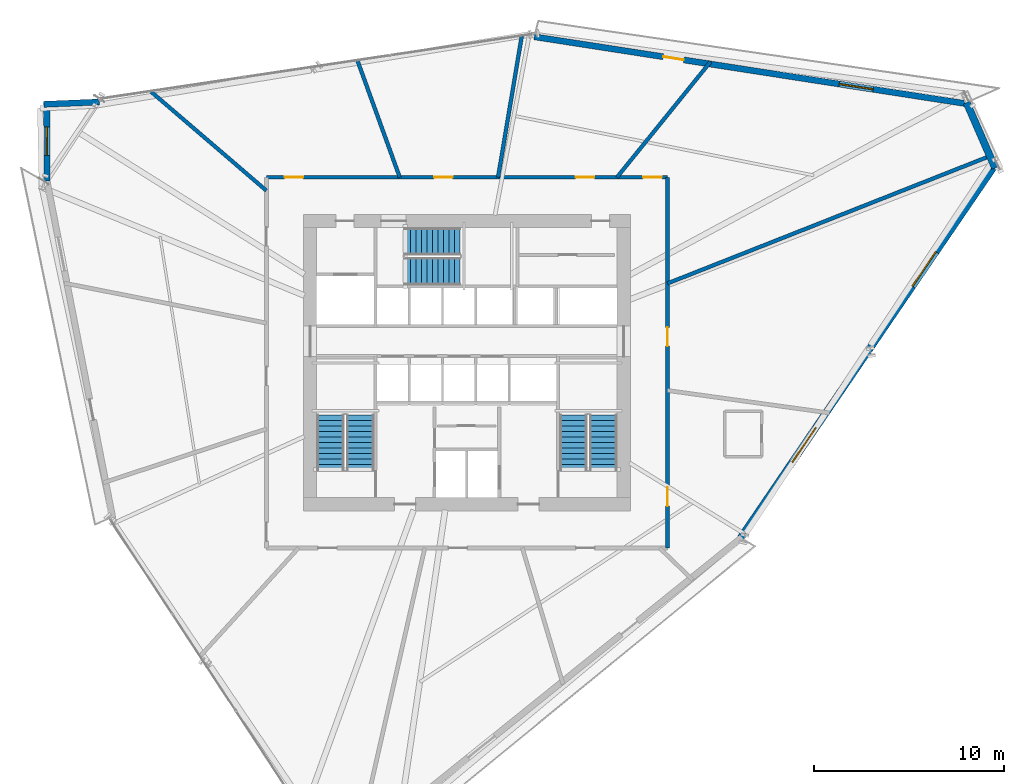
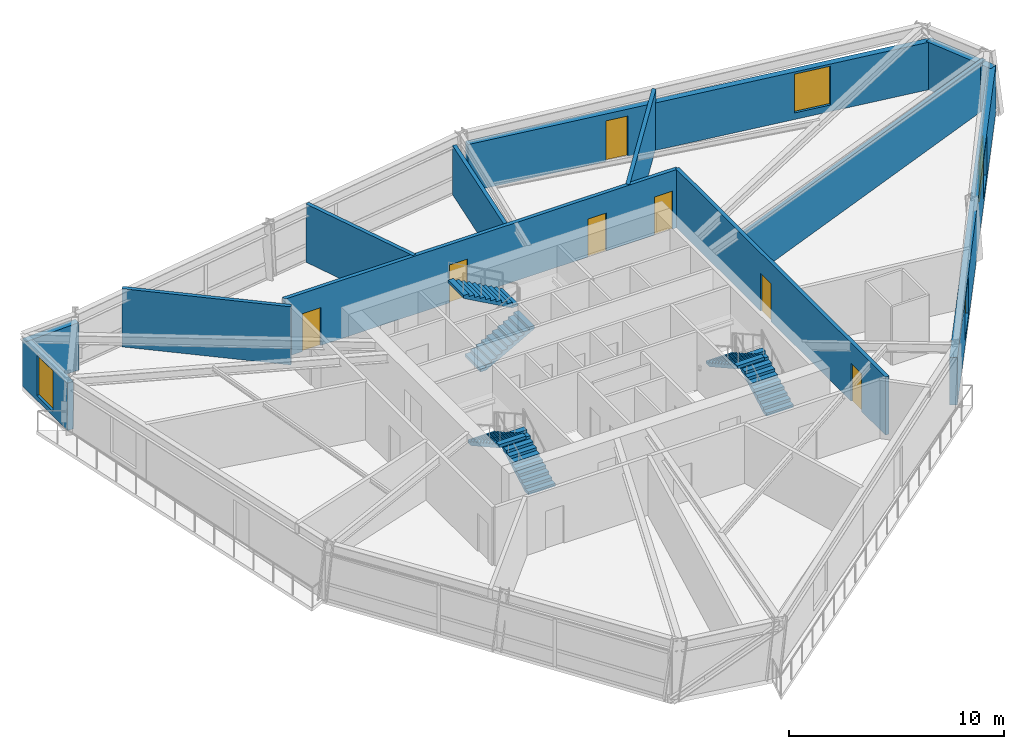
# One storey, part 11 of 14: 12 walls, 7 doors, 6 stair flights, 4 windows, 11 openings, 3 elements without a shape of their own.
"""IFC4 building model written with IfcOpenShell, lengths in metres."""

from ifc_helpers import new_model, si_unit, direction, frame, frame_2d, origin, place, context, subcontext, project, spatial, polyline, rectangle, outline, extrude, source, transform, mapped, material, layer, layer_set, type_object, type_shapes, element, fill, aggregate, save


model = new_model("IFC4")

# Units and contexts
model_context = context("Model", 3, precision=1e-05, world=origin(), true_north=direction((0.0, 1.0)))
body_context = subcontext(model_context, "Body", "Model", "MODEL_VIEW")
ifc_project = project(units=[si_unit("LENGTHUNIT", "METRE"), si_unit("AREAUNIT", "SQUARE_METRE"), si_unit("VOLUMEUNIT", "CUBIC_METRE"), si_unit("PLANEANGLEUNIT", "RADIAN"), si_unit("MASSUNIT", "GRAM", prefix="KILO")], contexts=[model_context])

# Site, building, storey
site_placement = place(None, origin())
site = spatial("IfcSite", under=ifc_project, at=site_placement, CompositionType="ELEMENT")
building_placement = place(site_placement, origin())
building = spatial("IfcBuilding", under=site, at=building_placement, Name="Olszyna Solenne Hotel", CompositionType="ELEMENT")
storey_placement = place(building_placement, frame((0.0, 0.0, 130.550048828125)))
storey = spatial("IfcBuildingStorey", under=building, at=storey_placement, Name="L34", CompositionType="ELEMENT", Elevation=130.550048828125)

# Wall, opening, window
ifc_material_1 = material(Name="Precast concrete C45/55", Category="concrete")
ifc_layer_1 = layer(ifc_material_1, 0.320068359375, Name="Precast concrete C45/55")
ifc_layer_set_1 = layer_set([ifc_layer_1], Name="Precast concrete C45/55")
wall_type_1 = type_object("IfcWallType", Name="WL-EX320", PredefinedType="SOLIDWALL", material=ifc_layer_set_1)
wall_1_placement = place(storey_placement, frame((15.907958984375, 36.16162109375, 0.0), z_axis=(0.0, 0.0, 1.0), x_axis=(-0.002565738829, 0.999996708487, 0.0)))
wall_1 = element("IfcWall", 1, at=wall_1_placement, inside=storey, type_object=wall_type_1, Name="Exterior terracotta-precast frame wall WL-EX320 EW-L34-05", PredefinedType="SOLIDWALL", context=body_context, shape_type="SweptSolid", body=[
    extrude(rectangle(XDim=4.186767578125, YDim=0.320068359375, at=frame_2d((2.09326171875, 0.0))), origin(), (0.0, 0.0, 1.0), 2.69189453125),
])
opening_1_placement = place(wall_1_placement, frame((1.343017578125, 0.0, 0.27197265625)))
opening_1 = element("IfcOpeningElement", 2, at=opening_1_placement, cuts=wall_1, Name="Opening WN-L34-198", PredefinedType="OPENING", context=body_context, shape_type="SweptSolid", body=[
    extrude(rectangle(XDim=1.5, YDim=2.300048828125, at=frame_2d((0.75, 1.14990234375))), frame((0.0, 0.169921875, 0.0), z_axis=(0.0, -1.0, 0.0), x_axis=(1.0, 0.0, 0.0)), (0.0, 0.0, 1.0), 0.340087890625),
])
ifc_material_2 = material(Name="Low-E triple glazing", Category="glass")
window_type_1 = type_object("IfcWindowType", Name="WN-CH1", PartitioningType="SINGLE_PANEL", PredefinedType="WINDOW", material=ifc_material_2)
shared_shape_1 = source(origin(), body_context, "Body", "SweptSolid", [
    extrude(rectangle(XDim=1.5, YDim=2.300048828125, at=frame_2d((0.75, 1.14990234375))), frame((0.0, 0.030029296875, 0.0), z_axis=(0.0, -1.0, 0.0), x_axis=(1.0, 0.0, 0.0)), (0.0, 0.0, 1.0), 0.06005859375),
])
type_shapes(window_type_1, [shared_shape_1])
window_1_placement = place(opening_1_placement, origin())
window_1 = element("IfcWindow", 3, at=window_1_placement, inside=storey, type_object=window_type_1, Name="Exterior facade window WN-CH1 WN-L34-198", OverallHeight=2.300048828125, OverallWidth=1.5, PartitioningType="SINGLE_PANEL", PredefinedType="WINDOW", context=body_context, shape_type="MappedRepresentation", body=[
    mapped(shared_shape_1, transform((0.0, 0.0, 0.0), x_axis=(1.0, 0.0, 0.0), y_axis=(0.0, 1.0, 0.0), z_axis=(0.0, 0.0, 1.0), scale=1.0)),
])
fill(opening_1, window_1)

# Wall
wall_2_placement = place(storey_placement, frame((15.743896484375, 40.18798828125, 0.0), z_axis=(0.0, 0.0, 1.0), x_axis=(0.99911515718, 0.042058324886, 0.0)))
element("IfcWall", 4, at=wall_2_placement, inside=storey, type_object=wall_type_1, Name="Exterior terracotta-precast frame wall WL-EX320 EW-L34-06", PredefinedType="SOLIDWALL", context=body_context, shape_type="SweptSolid", body=[
    extrude(rectangle(XDim=2.919921875, YDim=0.320068359375, at=frame_2d((1.4599609375, 0.0))), origin(), (0.0, 0.0, 1.0), 2.69189453125),
])

# Wall, openings, door, window
wall_3_placement = place(storey_placement, frame((41.541259765625, 43.74267578125, 0.0), z_axis=(0.0, 0.0, 1.0), x_axis=(0.988207138031, -0.153122997436, 0.0)))
wall_3 = element("IfcWall", 5, at=wall_3_placement, inside=storey, type_object=wall_type_1, Name="Exterior terracotta-precast frame wall WL-EX320 EW-L34-08", PredefinedType="SOLIDWALL", context=body_context, shape_type="SweptSolid", body=[
    extrude(rectangle(XDim=23.166748046875, YDim=0.320068359375, at=frame_2d((11.58349609375, 0.0))), origin(), (0.0, 0.0, 1.0), 2.69189453125),
])
opening_2_placement = place(wall_3_placement, frame((6.863037109375, 0.0, 0.0)))
opening_2 = element("IfcOpeningElement", 6, at=opening_2_placement, cuts=wall_3, Name="Opening LDG-L34-1", PredefinedType="OPENING", context=body_context, shape_type="SweptSolid", body=[
    extrude(rectangle(XDim=1.10009765625, YDim=2.300048828125, at=frame_2d((0.550048828125, 1.14990234375))), frame((0.0, 0.169921875, 0.0), z_axis=(0.0, -1.0, 0.0), x_axis=(1.0, 0.0, 0.0)), (0.0, 0.0, 1.0), 0.340087890625),
])
opening_3_placement = place(wall_3_placement, frame((16.242919921875, 0.0, 0.3720703125)))
opening_3 = element("IfcOpeningElement", 7, at=opening_3_placement, cuts=wall_3, Name="Opening WN-L34-199", PredefinedType="OPENING", context=body_context, shape_type="SweptSolid", body=[
    extrude(rectangle(XDim=1.800048828125, YDim=2.199951171875, at=frame_2d((0.89990234375, 1.10009765625))), frame((0.0, 0.169921875, 0.0), z_axis=(0.0, -1.0, 0.0), x_axis=(1.0, 0.0, 0.0)), (0.0, 0.0, 1.0), 0.340087890625),
])
ifc_material_3 = material(Name="Anodised bronze aluminium", Category="aluminium")
door_type_1 = type_object("IfcDoorType", Name="DR-LG1", OperationType="NOTDEFINED", PredefinedType="DOOR", material=ifc_material_3)
shared_shape_2 = source(origin(), body_context, "Body", "SweptSolid", [
    extrude(rectangle(XDim=1.10009765625, YDim=2.300048828125, at=frame_2d((0.550048828125, 1.14990234375))), frame((0.0, 0.02490234375, 0.0), z_axis=(0.0, -1.0, 0.0), x_axis=(1.0, 0.0, 0.0)), (0.0, 0.0, 1.0), 0.050048828125),
])
type_shapes(door_type_1, [shared_shape_2])
door_1_placement = place(opening_2_placement, origin())
door_1 = element("IfcDoor", 8, at=door_1_placement, inside=storey, type_object=door_type_1, Name="Exterior loggia balcony door DR-LG1 LDG-L34-1", OperationType="SINGLE_SWING_RIGHT", OverallHeight=2.300048828125, OverallWidth=1.10009765625, PredefinedType="DOOR", context=body_context, shape_type="MappedRepresentation", body=[
    mapped(shared_shape_2, transform((0.0, 0.0, 0.0), x_axis=(1.0, 0.0, 0.0), y_axis=(0.0, 1.0, 0.0), z_axis=(0.0, 0.0, 1.0), scale=1.0)),
])
fill(opening_2, door_1)
window_type_2 = type_object("IfcWindowType", Name="WN-HT1", PartitioningType="SINGLE_PANEL", PredefinedType="WINDOW", material=ifc_material_2)
shared_shape_3 = source(origin(), body_context, "Body", "SweptSolid", [
    extrude(rectangle(XDim=1.800048828125, YDim=2.199951171875, at=frame_2d((0.89990234375, 1.10009765625))), frame((0.0, 0.030029296875, 0.0), z_axis=(0.0, -1.0, 0.0), x_axis=(1.0, 0.0, 0.0)), (0.0, 0.0, 1.0), 0.06005859375),
])
type_shapes(window_type_2, [shared_shape_3])
window_2_placement = place(opening_3_placement, origin())
window_2 = element("IfcWindow", 9, at=window_2_placement, inside=storey, type_object=window_type_2, Name="Loggia room window WN-HT1 WN-L34-199", OverallHeight=2.199951171875, OverallWidth=1.800048828125, PartitioningType="SINGLE_PANEL", PredefinedType="WINDOW", context=body_context, shape_type="MappedRepresentation", body=[
    mapped(shared_shape_3, transform((0.0, 0.0, 0.0), x_axis=(1.0, 0.0, 0.0), y_axis=(0.0, 1.0, 0.0), z_axis=(0.0, 0.0, 1.0), scale=1.0)),
])
fill(opening_3, window_2)

# Wall
ifc_material_4 = material(Name="Terracotta cladding on precast concrete C45/55", Category="masonry")
ifc_layer_2 = layer(ifc_material_4, 0.3798828125, Name="Terracotta cladding on precast concrete C45/55")
ifc_layer_set_2 = layer_set([ifc_layer_2], Name="Terracotta cladding on precast concrete C45/55")
wall_type_2 = type_object("IfcWallType", Name="WL-EX380", PredefinedType="SOLIDWALL", material=ifc_layer_set_2)
wall_4_placement = place(storey_placement, frame((64.28515625, 40.277587890625, 0.0), z_axis=(0.0, 0.0, 1.0), x_axis=(0.399568588601, -0.916703301512, 0.0)))
element("IfcWall", 10, at=wall_4_placement, inside=storey, type_object=wall_type_2, Name="Exterior terracotta-precast frame wall WL-EX380 EW-L34-09", PredefinedType="SOLIDWALL", context=body_context, shape_type="SweptSolid", body=[
    extrude(rectangle(XDim=3.75048828125, YDim=0.3798828125, at=frame_2d((1.875244140625, 0.0))), origin(), (0.0, 0.0, 1.0), 2.69189453125),
])

# Wall, openings, windows
wall_5_placement = place(storey_placement, frame((65.801025390625, 37.022705078125, 0.0), z_axis=(0.0, 0.0, 1.0), x_axis=(-0.563622492104, -0.826032497179, 0.0)))
wall_5 = element("IfcWall", 11, at=wall_5_placement, inside=storey, type_object=wall_type_2, Name="Exterior terracotta-precast frame wall WL-EX380 EW-L34-10", PredefinedType="SOLIDWALL", context=body_context, shape_type="SweptSolid", body=[
    extrude(rectangle(XDim=23.758056640625, YDim=0.3798828125, at=frame_2d((11.87890625, 0.0))), origin(), (0.0, 0.0, 1.0), 2.69189453125),
])
opening_4_placement = place(wall_5_placement, frame((5.552001953125, 0.0, 0.322021484375)))
opening_4 = element("IfcOpeningElement", 12, at=opening_4_placement, cuts=wall_5, Name="Opening WN-L34-200", PredefinedType="OPENING", context=body_context, shape_type="SweptSolid", body=[
    extrude(rectangle(XDim=2.199951171875, YDim=2.25, at=frame_2d((1.10009765625, 1.125))), frame((0.0, 0.199951171875, 0.0), z_axis=(0.0, -1.0, 0.0), x_axis=(1.0, 0.0, 0.0)), (0.0, 0.0, 1.0), 0.39990234375),
])
opening_5_placement = place(wall_5_placement, frame((16.756103515625, 0.0, 0.322021484375)))
opening_5 = element("IfcOpeningElement", 13, at=opening_5_placement, cuts=wall_5, Name="Opening WN-L34-201", PredefinedType="OPENING", context=body_context, shape_type="SweptSolid", body=[
    extrude(rectangle(XDim=2.199951171875, YDim=2.25, at=frame_2d((1.10009765625, 1.125))), frame((0.0, 0.199951171875, 0.0), z_axis=(0.0, -1.0, 0.0), x_axis=(1.0, 0.0, 0.0)), (0.0, 0.0, 1.0), 0.39990234375),
])
window_type_3 = type_object("IfcWindowType", Name="WN-HT2", PartitioningType="SINGLE_PANEL", PredefinedType="WINDOW", material=ifc_material_2)
shared_shape_4 = source(origin(), body_context, "Body", "SweptSolid", [
    extrude(rectangle(XDim=2.199951171875, YDim=2.25, at=frame_2d((1.10009765625, 1.125))), frame((0.0, 0.030029296875, 0.0), z_axis=(0.0, -1.0, 0.0), x_axis=(1.0, 0.0, 0.0)), (0.0, 0.0, 1.0), 0.06005859375),
])
type_shapes(window_type_3, [shared_shape_4])
window_3_placement = place(opening_4_placement, origin())
window_3 = element("IfcWindow", 14, at=window_3_placement, inside=storey, type_object=window_type_3, Name="Exterior facade window WN-HT2 WN-L34-200", OverallHeight=2.25, OverallWidth=2.199951171875, PartitioningType="SINGLE_PANEL", PredefinedType="WINDOW", context=body_context, shape_type="MappedRepresentation", body=[
    mapped(shared_shape_4, transform((0.0, 0.0, 0.0), x_axis=(1.0, 0.0, 0.0), y_axis=(0.0, 1.0, 0.0), z_axis=(0.0, 0.0, 1.0), scale=1.0)),
])
fill(opening_4, window_3)
window_4_placement = place(opening_5_placement, origin())
window_4 = element("IfcWindow", 15, at=window_4_placement, inside=storey, type_object=window_type_3, Name="Exterior facade window WN-HT2 WN-L34-201", OverallHeight=2.25, OverallWidth=2.199951171875, PartitioningType="SINGLE_PANEL", PredefinedType="WINDOW", context=body_context, shape_type="MappedRepresentation", body=[
    mapped(shared_shape_4, transform((0.0, 0.0, 0.0), x_axis=(1.0, 0.0, 0.0), y_axis=(0.0, 1.0, 0.0), z_axis=(0.0, 0.0, 1.0), scale=1.0)),
])
fill(opening_5, window_4)

# Walls
ifc_material_5 = material(Name="Acoustic gypsum partition", Category="gypsum")
ifc_layer_3 = layer(ifc_material_5, 0.199951171875, Name="Acoustic gypsum partition")
ifc_layer_set_3 = layer_set([ifc_layer_3], Name="Acoustic gypsum partition")
wall_type_3 = type_object("IfcWallType", Name="WL-PT200", PredefinedType="PARTITIONING", material=ifc_layer_set_3)
wall_6_placement = place(storey_placement, frame((48.550048828125, 30.767333984375, 0.0), z_axis=(0.0, 0.0, 1.0), x_axis=(0.930068002608, 0.367387412038, 0.0)))
element("IfcWall", 16, at=wall_6_placement, inside=storey, type_object=wall_type_3, Name="Interior acoustic partition WL-PT200 PW-L34-1962", PredefinedType="PARTITIONING", context=body_context, shape_type="SweptSolid", body=[
    extrude(rectangle(XDim=18.3955078125, YDim=0.199951171875, at=frame_2d((9.19775390625, 0.0))), origin(), (0.0, 0.0, 1.0), 2.794921875),
])
wall_7_placement = place(storey_placement, frame((45.892822265625, 36.35009765625, 0.0), z_axis=(0.0, 0.0, 1.0), x_axis=(0.62920899099, 0.777236158229, 0.0)))
element("IfcWall", 17, at=wall_7_placement, inside=storey, type_object=wall_type_3, Name="Interior acoustic partition WL-PT200 PW-L34-1963", PredefinedType="PARTITIONING", context=body_context, shape_type="SweptSolid", body=[
    extrude(rectangle(XDim=7.830810546875, YDim=0.199951171875, at=frame_2d((3.91552734375, 0.0))), origin(), (0.0, 0.0, 1.0), 3.300048828125),
])
wall_8_placement = place(storey_placement, frame((39.637939453125, 36.35009765625, 0.0), z_axis=(0.0, 0.0, 1.0), x_axis=(0.165688318352, 0.986178169076, 0.0)))
element("IfcWall", 18, at=wall_8_placement, inside=storey, type_object=wall_type_3, Name="Interior acoustic partition WL-PT200 PW-L34-1964", PredefinedType="PARTITIONING", context=body_context, shape_type="SweptSolid", body=[
    extrude(rectangle(XDim=7.522216796875, YDim=0.199951171875, at=frame_2d((3.76123046875, 0.0))), origin(), (0.0, 0.0, 1.0), 2.784912109375),
])
wall_9_placement = place(storey_placement, frame((34.467041015625, 36.35009765625, 0.0), z_axis=(0.0, 0.0, 1.0), x_axis=(-0.340674701082, 0.940181231488, 0.0)))
element("IfcWall", 19, at=wall_9_placement, inside=storey, type_object=wall_type_3, Name="Interior acoustic partition WL-PT200 PW-L34-1965", PredefinedType="PARTITIONING", context=body_context, shape_type="SweptSolid", body=[
    extrude(rectangle(XDim=6.514892578125, YDim=0.199951171875, at=frame_2d((3.25732421875, 0.0))), origin(), (0.0, 0.0, 1.0), 3.300048828125),
])
wall_10_placement = place(storey_placement, frame((27.449951171875, 35.651123046875, 0.0), z_axis=(0.0, 0.0, 1.0), x_axis=(-0.75895865216, 0.651138821075, 0.0)))
element("IfcWall", 20, at=wall_10_placement, inside=storey, type_object=wall_type_3, Name="Interior acoustic partition WL-PT200 PW-L34-1966", PredefinedType="PARTITIONING", context=body_context, shape_type="SweptSolid", body=[
    extrude(rectangle(XDim=7.984130859375, YDim=0.199951171875, at=frame_2d((3.9921875, 0.0))), origin(), (0.0, 0.0, 1.0), 3.300048828125),
])

# Wall, openings, doors
wall_11_placement = place(storey_placement, frame((27.449951171875, 36.35009765625, 0.0), z_axis=(0.0, 0.0, 1.0), x_axis=(1.0, 0.0, 0.0)))
wall_11 = element("IfcWall", 21, at=wall_11_placement, inside=storey, type_object=wall_type_3, Name="Interior acoustic partition WL-PT200 PW-L34-1979", PredefinedType="PARTITIONING", context=body_context, shape_type="SweptSolid", body=[
    extrude(rectangle(XDim=21.10009765625, YDim=0.199951171875, at=frame_2d((10.550048828125, 0.0))), origin(), (0.0, 0.0, 1.0), 3.300048828125),
])
opening_6_placement = place(wall_11_placement, frame((19.820068359375, 0.0, 0.0)))
opening_6 = element("IfcOpeningElement", 22, at=opening_6_placement, cuts=wall_11, Name="Opening DR-L34-0480", PredefinedType="OPENING", context=body_context, shape_type="SweptSolid", body=[
    extrude(rectangle(XDim=0.97998046875, YDim=2.14990234375, at=frame_2d((0.489990234375, 1.074951171875))), frame((0.0, 0.10986328125, 0.0), z_axis=(0.0, -1.0, 0.0), x_axis=(1.0, 0.0, 0.0)), (0.0, 0.0, 1.0), 0.219970703125),
])
opening_7_placement = place(wall_11_placement, frame((16.26904296875, 0.0, 0.0)))
opening_7 = element("IfcOpeningElement", 23, at=opening_7_placement, cuts=wall_11, Name="Opening DR-L34-0481", PredefinedType="OPENING", context=body_context, shape_type="SweptSolid", body=[
    extrude(rectangle(XDim=0.97998046875, YDim=2.14990234375, at=frame_2d((0.489990234375, 1.074951171875))), frame((0.0, 0.10986328125, 0.0), z_axis=(0.0, -1.0, 0.0), x_axis=(1.0, 0.0, 0.0)), (0.0, 0.0, 1.0), 0.219970703125),
])
opening_8_placement = place(wall_11_placement, frame((8.823974609375, 0.0, 0.0)))
opening_8 = element("IfcOpeningElement", 24, at=opening_8_placement, cuts=wall_11, Name="Opening DR-L34-0482", PredefinedType="OPENING", context=body_context, shape_type="SweptSolid", body=[
    extrude(rectangle(XDim=0.97998046875, YDim=2.14990234375, at=frame_2d((0.489990234375, 1.074951171875))), frame((0.0, 0.10986328125, 0.0), z_axis=(0.0, -1.0, 0.0), x_axis=(1.0, 0.0, 0.0)), (0.0, 0.0, 1.0), 0.219970703125),
])
opening_9_placement = place(wall_11_placement, frame((0.9560546875, 0.0, 0.0)))
opening_9 = element("IfcOpeningElement", 25, at=opening_9_placement, cuts=wall_11, Name="Opening DR-L34-0483", PredefinedType="OPENING", context=body_context, shape_type="SweptSolid", body=[
    extrude(rectangle(XDim=0.97998046875, YDim=2.14990234375, at=frame_2d((0.489990234375, 1.074951171875))), frame((0.0, 0.10986328125, 0.0), z_axis=(0.0, -1.0, 0.0), x_axis=(1.0, 0.0, 0.0)), (0.0, 0.0, 1.0), 0.219970703125),
])
ifc_material_6 = material(Name="Timber hardwood", Category="wood")
door_type_2 = type_object("IfcDoorType", Name="DR-RM1", OperationType="NOTDEFINED", PredefinedType="DOOR", material=ifc_material_6)
shared_shape_5 = source(origin(), body_context, "Body", "SweptSolid", [
    extrude(rectangle(XDim=0.97998046875, YDim=2.14990234375, at=frame_2d((0.489990234375, 1.074951171875))), frame((0.0, 0.02490234375, 0.0), z_axis=(0.0, -1.0, 0.0), x_axis=(1.0, 0.0, 0.0)), (0.0, 0.0, 1.0), 0.050048828125),
])
type_shapes(door_type_2, [shared_shape_5])
door_2_placement = place(opening_6_placement, origin())
door_2 = element("IfcDoor", 26, at=door_2_placement, inside=storey, type_object=door_type_2, Name="Private Business Office Entrance Door DR-L34-0480", OperationType="SINGLE_SWING_RIGHT", OverallHeight=2.14990234375, OverallWidth=0.97998046875, PredefinedType="DOOR", context=body_context, shape_type="MappedRepresentation", body=[
    mapped(shared_shape_5, transform((0.0, 0.0, 0.0), x_axis=(1.0, 0.0, 0.0), y_axis=(0.0, 1.0, 0.0), z_axis=(0.0, 0.0, 1.0), scale=1.0)),
])
fill(opening_6, door_2)
door_3_placement = place(opening_7_placement, origin())
door_3 = element("IfcDoor", 27, at=door_3_placement, inside=storey, type_object=door_type_2, Name="Private Business Office Entrance Door DR-L34-0481", OperationType="SINGLE_SWING_LEFT", OverallHeight=2.14990234375, OverallWidth=0.97998046875, PredefinedType="DOOR", context=body_context, shape_type="MappedRepresentation", body=[
    mapped(shared_shape_5, transform((0.0, 0.0, 0.0), x_axis=(1.0, 0.0, 0.0), y_axis=(0.0, 1.0, 0.0), z_axis=(0.0, 0.0, 1.0), scale=1.0)),
])
fill(opening_7, door_3)
door_4_placement = place(opening_8_placement, origin())
door_4 = element("IfcDoor", 28, at=door_4_placement, inside=storey, type_object=door_type_2, Name="Private Business Office Entrance Door DR-L34-0482", OperationType="SINGLE_SWING_RIGHT", OverallHeight=2.14990234375, OverallWidth=0.97998046875, PredefinedType="DOOR", context=body_context, shape_type="MappedRepresentation", body=[
    mapped(shared_shape_5, transform((0.0, 0.0, 0.0), x_axis=(1.0, 0.0, 0.0), y_axis=(0.0, 1.0, 0.0), z_axis=(0.0, 0.0, 1.0), scale=1.0)),
])
fill(opening_8, door_4)
door_5_placement = place(opening_9_placement, origin())
door_5 = element("IfcDoor", 29, at=door_5_placement, inside=storey, type_object=door_type_2, Name="Private Business Office Entrance Door DR-L34-0483", OperationType="SINGLE_SWING_LEFT", OverallHeight=2.14990234375, OverallWidth=0.97998046875, PredefinedType="DOOR", context=body_context, shape_type="MappedRepresentation", body=[
    mapped(shared_shape_5, transform((0.0, 0.0, 0.0), x_axis=(1.0, 0.0, 0.0), y_axis=(0.0, 1.0, 0.0), z_axis=(0.0, 0.0, 1.0), scale=1.0)),
])
fill(opening_9, door_5)

wall_12_placement = place(storey_placement, frame((48.550048828125, 16.85009765625, 0.0), z_axis=(0.0, 0.0, 1.0), x_axis=(0.0, 1.0, 0.0)))
wall_12 = element("IfcWall", 30, at=wall_12_placement, inside=storey, type_object=wall_type_3, Name="Interior acoustic partition WL-PT200 PW-L34-1980", PredefinedType="PARTITIONING", context=body_context, shape_type="SweptSolid", body=[
    extrude(rectangle(XDim=19.5, YDim=0.199951171875, at=frame_2d((9.75, 0.0))), origin(), (0.0, 0.0, 1.0), 3.300048828125),
])
opening_10_placement = place(wall_12_placement, frame((10.625, 0.0, 0.0)))
opening_10 = element("IfcOpeningElement", 31, at=opening_10_placement, cuts=wall_12, Name="Opening DR-L34-0484", PredefinedType="OPENING", context=body_context, shape_type="SweptSolid", body=[
    extrude(rectangle(XDim=0.97998046875, YDim=2.14990234375, at=frame_2d((0.489990234375, 1.074951171875))), frame((0.0, 0.10986328125, 0.0), z_axis=(0.0, -1.0, 0.0), x_axis=(1.0, 0.0, 0.0)), (0.0, 0.0, 1.0), 0.219970703125),
])
opening_11_placement = place(wall_12_placement, frame((2.20703125, 0.0, 0.0)))
opening_11 = element("IfcOpeningElement", 32, at=opening_11_placement, cuts=wall_12, Name="Opening DR-L34-0485", PredefinedType="OPENING", context=body_context, shape_type="SweptSolid", body=[
    extrude(rectangle(XDim=0.97998046875, YDim=2.14990234375, at=frame_2d((0.489990234375, 1.074951171875))), frame((0.0, 0.10986328125, 0.0), z_axis=(0.0, -1.0, 0.0), x_axis=(1.0, 0.0, 0.0)), (0.0, 0.0, 1.0), 0.219970703125),
])
door_6_placement = place(opening_10_placement, origin())
door_6 = element("IfcDoor", 33, at=door_6_placement, inside=storey, type_object=door_type_2, Name="Private Business Office Entrance Door DR-L34-0484", OperationType="SINGLE_SWING_LEFT", OverallHeight=2.14990234375, OverallWidth=0.97998046875, PredefinedType="DOOR", context=body_context, shape_type="MappedRepresentation", body=[
    mapped(shared_shape_5, transform((0.0, 0.0, 0.0), x_axis=(1.0, 0.0, 0.0), y_axis=(0.0, 1.0, 0.0), z_axis=(0.0, 0.0, 1.0), scale=1.0)),
])
fill(opening_10, door_6)
door_7_placement = place(opening_11_placement, origin())
door_7 = element("IfcDoor", 34, at=door_7_placement, inside=storey, type_object=door_type_2, Name="Executive Reading Salon Entrance Door DR-L34-0485", OperationType="SINGLE_SWING_RIGHT", OverallHeight=2.14990234375, OverallWidth=0.97998046875, PredefinedType="DOOR", context=body_context, shape_type="MappedRepresentation", body=[
    mapped(shared_shape_5, transform((0.0, 0.0, 0.0), x_axis=(1.0, 0.0, 0.0), y_axis=(0.0, 1.0, 0.0), z_axis=(0.0, 0.0, 1.0), scale=1.0)),
])
fill(opening_11, door_7)

# Stair, stair flights
ifc_material_7 = material(Name="Concrete C40/50", Category="concrete")
stair_type = type_object("IfcStairType", Name="STR-C1", PredefinedType="TWO_QUARTER_WINDING_STAIR", material=ifc_material_7)
stair_1_placement = place(storey_placement, origin())
stair_1 = element("IfcStair", 35, at=stair_1_placement, inside=storey, type_object=stair_type, Name="L34 ST1", PredefinedType="TWO_QUARTER_WINDING_STAIR")
stair_flight_type = type_object("IfcStairFlightType", Name="FLT-C1", PredefinedType="STRAIGHT", material=ifc_material_7)
stair_flight_1_placement = place(storey_placement, frame((32.39501953125, 20.949951171875, 0.0), z_axis=(0.0, 0.0, 1.0), x_axis=(0.0, 1.0, 0.0)))
stair_flight_1 = element("IfcStairFlight", 36, at=stair_flight_1_placement, type_object=stair_flight_type, Name="ST1 flight 1", NumberOfRisers=11, NumberOfTreads=10, PredefinedType="STRAIGHT", RiserHeight=0.161363636, TreadLength=0.29, context=body_context, shape_type="SweptSolid", body=[
    extrude(outline(polyline([(0.0, 0.0), (0.0, 0.161376953125), (0.2900390625, 0.161376953125), (0.2900390625, 0.32275390625), (0.580078125, 0.32275390625), (0.580078125, 0.484130859375), (0.8701171875, 0.484130859375), (0.8701171875, 0.6455078125), (1.159912109375, 0.6455078125), (1.159912109375, 0.806884765625), (1.449951171875, 0.806884765625), (1.449951171875, 0.96826171875), (1.739990234375, 0.96826171875), (1.739990234375, 1.129638671875), (2.030029296875, 1.129638671875), (2.030029296875, 1.291015625), (2.320068359375, 1.291015625), (2.320068359375, 1.452392578125), (2.610107421875, 1.452392578125), (2.610107421875, 1.613525390625), (2.89990234375, 1.613525390625), (2.89990234375, 1.77490234375), (2.89990234375, 1.442138671875), (0.308349609375, 0.0), (0.0, 0.0)])), frame((0.0, 0.72509765625, 0.0), z_axis=(0.0, -1.0, 0.0), x_axis=(1.0, 0.0, 0.0)), (0.0, 0.0, 1.0), 1.449951171875),
])
stair_flight_2_placement = place(storey_placement, frame((30.824951171875, 23.85009765625, 1.77490234375), z_axis=(0.0, 0.0, 1.0), x_axis=(0.0, -1.0, 0.0)))
stair_flight_2 = element("IfcStairFlight", 37, at=stair_flight_2_placement, type_object=stair_flight_type, Name="ST1 flight 2", NumberOfRisers=11, NumberOfTreads=10, PredefinedType="STRAIGHT", RiserHeight=0.161363636, TreadLength=0.29, context=body_context, shape_type="SweptSolid", body=[
    extrude(outline(polyline([(0.0, 0.0), (0.0, 0.161376953125), (0.2900390625, 0.161376953125), (0.2900390625, 0.32275390625), (0.580078125, 0.32275390625), (0.580078125, 0.484130859375), (0.8701171875, 0.484130859375), (0.8701171875, 0.6455078125), (1.159912109375, 0.6455078125), (1.159912109375, 0.806884765625), (1.449951171875, 0.806884765625), (1.449951171875, 0.96826171875), (1.739990234375, 0.96826171875), (1.739990234375, 1.129638671875), (2.030029296875, 1.129638671875), (2.030029296875, 1.291015625), (2.320068359375, 1.291015625), (2.320068359375, 1.452392578125), (2.610107421875, 1.452392578125), (2.610107421875, 1.613525390625), (2.89990234375, 1.613525390625), (2.89990234375, 1.77490234375), (2.89990234375, 1.442138671875), (0.308349609375, 0.0), (0.0, 0.0)])), frame((0.0, 0.72509765625, 0.0), z_axis=(0.0, -1.0, 0.0), x_axis=(1.0, 0.0, 0.0)), (0.0, 0.0, 1.0), 1.449951171875),
])
aggregate(stair_1, [stair_flight_1, stair_flight_2])

stair_2_placement = place(storey_placement, origin())
stair_2 = element("IfcStair", 38, at=stair_2_placement, inside=storey, type_object=stair_type, Name="L34 ST2", PredefinedType="TWO_QUARTER_WINDING_STAIR")
stair_flight_3_placement = place(storey_placement, frame((45.175048828125, 20.949951171875, 0.0), z_axis=(0.0, 0.0, 1.0), x_axis=(0.0, 1.0, 0.0)))
stair_flight_3 = element("IfcStairFlight", 39, at=stair_flight_3_placement, type_object=stair_flight_type, Name="ST2 flight 1", NumberOfRisers=11, NumberOfTreads=10, PredefinedType="STRAIGHT", RiserHeight=0.161363636, TreadLength=0.29, context=body_context, shape_type="SweptSolid", body=[
    extrude(outline(polyline([(0.0, 0.0), (0.0, 0.161376953125), (0.2900390625, 0.161376953125), (0.2900390625, 0.32275390625), (0.580078125, 0.32275390625), (0.580078125, 0.484130859375), (0.8701171875, 0.484130859375), (0.8701171875, 0.6455078125), (1.159912109375, 0.6455078125), (1.159912109375, 0.806884765625), (1.449951171875, 0.806884765625), (1.449951171875, 0.96826171875), (1.739990234375, 0.96826171875), (1.739990234375, 1.129638671875), (2.030029296875, 1.129638671875), (2.030029296875, 1.291015625), (2.320068359375, 1.291015625), (2.320068359375, 1.452392578125), (2.610107421875, 1.452392578125), (2.610107421875, 1.613525390625), (2.89990234375, 1.613525390625), (2.89990234375, 1.77490234375), (2.89990234375, 1.442138671875), (0.308349609375, 0.0), (0.0, 0.0)])), frame((0.0, 0.72509765625, 0.0), z_axis=(0.0, -1.0, 0.0), x_axis=(1.0, 0.0, 0.0)), (0.0, 0.0, 1.0), 1.449951171875),
])
stair_flight_4_placement = place(storey_placement, frame((43.60498046875, 23.85009765625, 1.77490234375), z_axis=(0.0, 0.0, 1.0), x_axis=(0.0, -1.0, 0.0)))
stair_flight_4 = element("IfcStairFlight", 40, at=stair_flight_4_placement, type_object=stair_flight_type, Name="ST2 flight 2", NumberOfRisers=11, NumberOfTreads=10, PredefinedType="STRAIGHT", RiserHeight=0.161363636, TreadLength=0.29, context=body_context, shape_type="SweptSolid", body=[
    extrude(outline(polyline([(0.0, 0.0), (0.0, 0.161376953125), (0.2900390625, 0.161376953125), (0.2900390625, 0.32275390625), (0.580078125, 0.32275390625), (0.580078125, 0.484130859375), (0.8701171875, 0.484130859375), (0.8701171875, 0.6455078125), (1.159912109375, 0.6455078125), (1.159912109375, 0.806884765625), (1.449951171875, 0.806884765625), (1.449951171875, 0.96826171875), (1.739990234375, 0.96826171875), (1.739990234375, 1.129638671875), (2.030029296875, 1.129638671875), (2.030029296875, 1.291015625), (2.320068359375, 1.291015625), (2.320068359375, 1.452392578125), (2.610107421875, 1.452392578125), (2.610107421875, 1.613525390625), (2.89990234375, 1.613525390625), (2.89990234375, 1.77490234375), (2.89990234375, 1.442138671875), (0.308349609375, 0.0), (0.0, 0.0)])), frame((0.0, 0.72509765625, 0.0), z_axis=(0.0, -1.0, 0.0), x_axis=(1.0, 0.0, 0.0)), (0.0, 0.0, 1.0), 1.449951171875),
])
aggregate(stair_2, [stair_flight_3, stair_flight_4])

stair_3_placement = place(storey_placement, origin())
stair_3 = element("IfcStair", 41, at=stair_3_placement, inside=storey, type_object=stair_type, Name="L34 ST3", PredefinedType="TWO_QUARTER_WINDING_STAIR")
stair_flight_5_placement = place(storey_placement, frame((34.72998046875, 31.405029296875, 0.0), z_axis=(0.0, 0.0, 1.0), x_axis=(1.0, 0.0, 0.0)))
stair_flight_5 = element("IfcStairFlight", 42, at=stair_flight_5_placement, type_object=stair_flight_type, Name="ST3 flight 1", NumberOfRisers=11, NumberOfTreads=10, PredefinedType="STRAIGHT", RiserHeight=0.161363636, TreadLength=0.29, context=body_context, shape_type="SweptSolid", body=[
    extrude(outline(polyline([(0.0, 0.0), (0.0, 0.161376953125), (0.2900390625, 0.161376953125), (0.2900390625, 0.32275390625), (0.580078125, 0.32275390625), (0.580078125, 0.484130859375), (0.8701171875, 0.484130859375), (0.8701171875, 0.6455078125), (1.159912109375, 0.6455078125), (1.159912109375, 0.806884765625), (1.449951171875, 0.806884765625), (1.449951171875, 0.96826171875), (1.739990234375, 0.96826171875), (1.739990234375, 1.129638671875), (2.030029296875, 1.129638671875), (2.030029296875, 1.291015625), (2.320068359375, 1.291015625), (2.320068359375, 1.452392578125), (2.610107421875, 1.452392578125), (2.610107421875, 1.613525390625), (2.89990234375, 1.613525390625), (2.89990234375, 1.77490234375), (2.89990234375, 1.442138671875), (0.308349609375, 0.0), (0.0, 0.0)])), frame((0.0, 0.72509765625, 0.0), z_axis=(0.0, -1.0, 0.0), x_axis=(1.0, 0.0, 0.0)), (0.0, 0.0, 1.0), 1.449951171875),
])
stair_flight_6_placement = place(storey_placement, frame((37.6298828125, 32.97509765625, 1.77490234375), z_axis=(0.0, 0.0, 1.0), x_axis=(-1.0, 0.0, 0.0)))
stair_flight_6 = element("IfcStairFlight", 43, at=stair_flight_6_placement, type_object=stair_flight_type, Name="ST3 flight 2", NumberOfRisers=11, NumberOfTreads=10, PredefinedType="STRAIGHT", RiserHeight=0.161363636, TreadLength=0.29, context=body_context, shape_type="SweptSolid", body=[
    extrude(outline(polyline([(0.0, 0.0), (0.0, 0.161376953125), (0.2900390625, 0.161376953125), (0.2900390625, 0.32275390625), (0.580078125, 0.32275390625), (0.580078125, 0.484130859375), (0.8701171875, 0.484130859375), (0.8701171875, 0.6455078125), (1.159912109375, 0.6455078125), (1.159912109375, 0.806884765625), (1.449951171875, 0.806884765625), (1.449951171875, 0.96826171875), (1.739990234375, 0.96826171875), (1.739990234375, 1.129638671875), (2.030029296875, 1.129638671875), (2.030029296875, 1.291015625), (2.320068359375, 1.291015625), (2.320068359375, 1.452392578125), (2.610107421875, 1.452392578125), (2.610107421875, 1.613525390625), (2.89990234375, 1.613525390625), (2.89990234375, 1.77490234375), (2.89990234375, 1.442138671875), (0.308349609375, 0.0), (0.0, 0.0)])), frame((0.0, 0.72509765625, 0.0), z_axis=(0.0, -1.0, 0.0), x_axis=(1.0, 0.0, 0.0)), (0.0, 0.0, 1.0), 1.449951171875),
])
aggregate(stair_3, [stair_flight_5, stair_flight_6])

save(model, "model.ifc")
